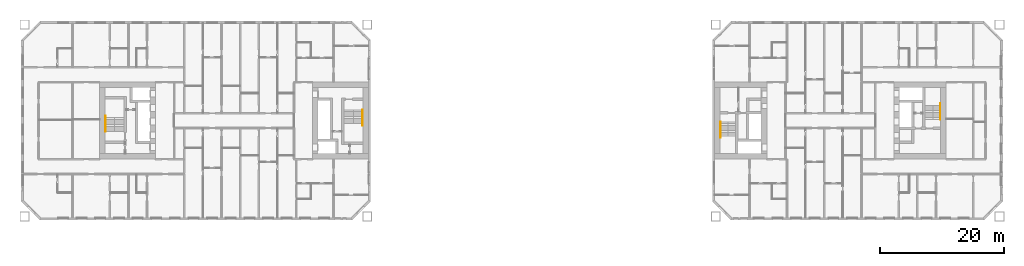
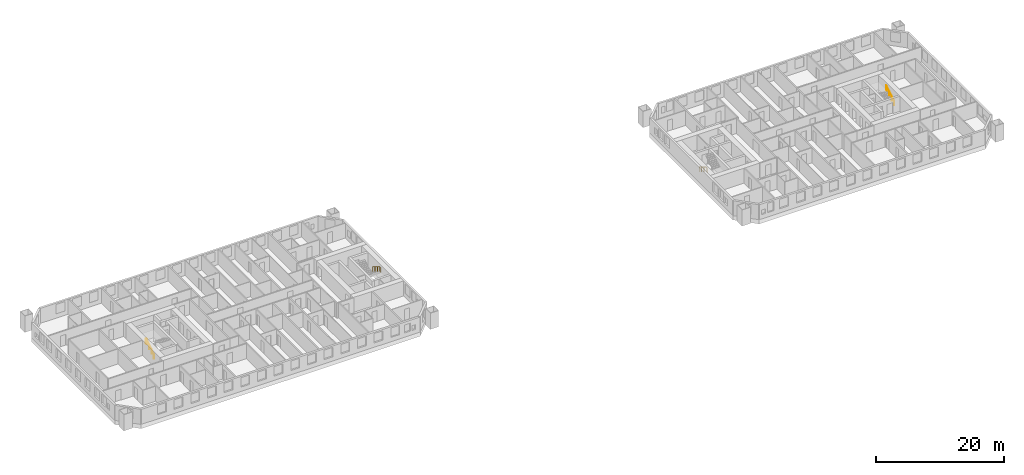
# One storey, part 16 of 16: 4 railings.
"""IFC4 building model written with IfcOpenShell, lengths in metres."""

from ifc_helpers import new_model, si_unit, direction, frame, origin, origin_2d, place, context, subcontext, project, spatial, circle, extrude, material, type_object, element, save


model = new_model("IFC4")

# Units and contexts
model_context = context("Model", 3, precision=1e-05, world=origin(), true_north=direction((0.0, 1.0)))
body_context = subcontext(model_context, "Body", "Model", "MODEL_VIEW")
ifc_project = project(units=[si_unit("LENGTHUNIT", "METRE"), si_unit("AREAUNIT", "SQUARE_METRE"), si_unit("VOLUMEUNIT", "CUBIC_METRE"), si_unit("PLANEANGLEUNIT", "RADIAN"), si_unit("MASSUNIT", "GRAM", prefix="KILO")], contexts=[model_context])

# Site, building, storey
site_placement = place(None, origin())
site = spatial("IfcSite", under=ifc_project, at=site_placement, CompositionType="ELEMENT")
building_placement = place(site_placement, origin())
building = spatial("IfcBuilding", under=site, at=building_placement, Name="Tuart Gate Housing", CompositionType="ELEMENT")
storey_placement = place(building_placement, frame((0.0, 0.0, 19.5)))
storey = spatial("IfcBuildingStorey", under=building, at=storey_placement, Name="L04", CompositionType="ELEMENT", Elevation=19.5)

# Railings
ifc_material = material(Name="Stainless steel", Category="steel")
railing_type = type_object("IfcRailingType", Name="Stair handrail 900", PredefinedType="HANDRAIL", material=ifc_material)
railing_1_placement = place(storey_placement, frame((74.679931640625, 71.75, 0.172119140625)))
element("IfcRailing", 1, at=railing_1_placement, inside=storey, type_object=railing_type, Name="Stair handrail SA1.1", PredefinedType="HANDRAIL", context=body_context, shape_type="SweptSolid", body=[
    extrude(circle(Radius=0.02392578125, at=origin_2d()), frame((0.0, 0.0, 0.8759765625), z_axis=(0.0, -0.851747552033, 0.523952390591), x_axis=(1.0, 0.0, 0.0)), (0.0, 0.0, 1.0), 2.6298828125),
    extrude(circle(Radius=0.02392578125, at=origin_2d()), frame((0.0, -2.239990234375, 2.25390625), z_axis=(0.0, -1.0, 0.0), x_axis=(1.0, 0.0, 0.0)), (0.0, 0.0, 1.0), 0.300048828125),
    extrude(circle(Radius=0.02099609375, at=origin_2d()), origin(), (0.0, 0.0, 1.0), 0.851806640625),
    extrude(circle(Radius=0.02099609375, at=origin_2d()), frame((0.0, -0.74658203125, 0.459228515625)), (0.0, 0.0, 1.0), 0.851806640625),
    extrude(circle(Radius=0.02099609375, at=origin_2d()), frame((0.0, -1.493408203125, 0.918701171875)), (0.0, 0.0, 1.0), 0.851806640625),
    extrude(circle(Radius=0.02099609375, at=origin_2d()), frame((0.0, -2.239990234375, 1.3779296875)), (0.0, 0.0, 1.0), 0.851806640625),
    extrude(circle(Radius=0.02099609375, at=origin_2d()), frame((0.0, -2.5400390625, 1.3779296875)), (0.0, 0.0, 1.0), 0.851806640625),
])
railing_2_placement = place(storey_placement, frame((33.320068359375, 68.25, 0.172119140625)))
element("IfcRailing", 2, at=railing_2_placement, inside=storey, type_object=railing_type, Name="Stair handrail SA2.1", PredefinedType="HANDRAIL", context=body_context, shape_type="SweptSolid", body=[
    extrude(circle(Radius=0.02392578125, at=origin_2d()), frame((0.0, 0.0, 0.8759765625), z_axis=(0.0, 0.851747552033, 0.523952390591), x_axis=(-1.0, 0.0, 0.0)), (0.0, 0.0, 1.0), 2.6298828125),
    extrude(circle(Radius=0.02392578125, at=origin_2d()), frame((0.0, 2.239990234375, 2.25390625), z_axis=(0.0, 1.0, 0.0), x_axis=(-1.0, 0.0, 0.0)), (0.0, 0.0, 1.0), 0.300048828125),
    extrude(circle(Radius=0.02099609375, at=origin_2d()), origin(), (0.0, 0.0, 1.0), 0.851806640625),
    extrude(circle(Radius=0.02099609375, at=origin_2d()), frame((0.0, 0.74658203125, 0.459228515625)), (0.0, 0.0, 1.0), 0.851806640625),
    extrude(circle(Radius=0.02099609375, at=origin_2d()), frame((0.0, 1.493408203125, 0.918701171875)), (0.0, 0.0, 1.0), 0.851806640625),
    extrude(circle(Radius=0.02099609375, at=origin_2d()), frame((0.0, 2.239990234375, 1.3779296875)), (0.0, 0.0, 1.0), 0.851806640625),
    extrude(circle(Radius=0.02099609375, at=origin_2d()), frame((0.0, 2.5400390625, 1.3779296875)), (0.0, 0.0, 1.0), 0.851806640625),
])
railing_3_placement = place(storey_placement, frame((132.320068359375, 69.800048828125, 0.172119140625)))
element("IfcRailing", 3, at=railing_3_placement, inside=storey, type_object=railing_type, Name="Stair handrail SB1.1", PredefinedType="HANDRAIL", context=body_context, shape_type="SweptSolid", body=[
    extrude(circle(Radius=0.02392578125, at=origin_2d()), frame((0.0, 0.0, 0.8759765625), z_axis=(0.0, -0.851747552033, 0.523952390591), x_axis=(1.0, 0.0, 0.0)), (0.0, 0.0, 1.0), 2.6298828125),
    extrude(circle(Radius=0.02392578125, at=origin_2d()), frame((0.0, -2.239990234375, 2.25390625), z_axis=(0.0, -1.0, 0.0), x_axis=(1.0, 0.0, 0.0)), (0.0, 0.0, 1.0), 0.300048828125),
    extrude(circle(Radius=0.02099609375, at=origin_2d()), origin(), (0.0, 0.0, 1.0), 0.851806640625),
    extrude(circle(Radius=0.02099609375, at=origin_2d()), frame((0.0, -0.74658203125, 0.459228515625)), (0.0, 0.0, 1.0), 0.851806640625),
    extrude(circle(Radius=0.02099609375, at=origin_2d()), frame((0.0, -1.493408203125, 0.918701171875)), (0.0, 0.0, 1.0), 0.851806640625),
    extrude(circle(Radius=0.02099609375, at=origin_2d()), frame((0.0, -2.239990234375, 1.3779296875)), (0.0, 0.0, 1.0), 0.851806640625),
    extrude(circle(Radius=0.02099609375, at=origin_2d()), frame((0.0, -2.5400390625, 1.3779296875)), (0.0, 0.0, 1.0), 0.851806640625),
])
railing_4_placement = place(storey_placement, frame((167.679931640625, 70.199951171875, 0.172119140625)))
element("IfcRailing", 4, at=railing_4_placement, inside=storey, type_object=railing_type, Name="Stair handrail SB2.1", PredefinedType="HANDRAIL", context=body_context, shape_type="SweptSolid", body=[
    extrude(circle(Radius=0.02392578125, at=origin_2d()), frame((0.0, 0.0, 0.8759765625), z_axis=(0.0, 0.851747552033, 0.523952390591), x_axis=(-1.0, 0.0, 0.0)), (0.0, 0.0, 1.0), 2.6298828125),
    extrude(circle(Radius=0.02392578125, at=origin_2d()), frame((0.0, 2.239990234375, 2.25390625), z_axis=(0.0, 1.0, 0.0), x_axis=(-1.0, 0.0, 0.0)), (0.0, 0.0, 1.0), 0.300048828125),
    extrude(circle(Radius=0.02099609375, at=origin_2d()), origin(), (0.0, 0.0, 1.0), 0.851806640625),
    extrude(circle(Radius=0.02099609375, at=origin_2d()), frame((0.0, 0.74658203125, 0.459228515625)), (0.0, 0.0, 1.0), 0.851806640625),
    extrude(circle(Radius=0.02099609375, at=origin_2d()), frame((0.0, 1.493408203125, 0.918701171875)), (0.0, 0.0, 1.0), 0.851806640625),
    extrude(circle(Radius=0.02099609375, at=origin_2d()), frame((0.0, 2.239990234375, 1.3779296875)), (0.0, 0.0, 1.0), 0.851806640625),
    extrude(circle(Radius=0.02099609375, at=origin_2d()), frame((0.0, 2.5400390625, 1.3779296875)), (0.0, 0.0, 1.0), 0.851806640625),
])

save(model, "model.ifc")
